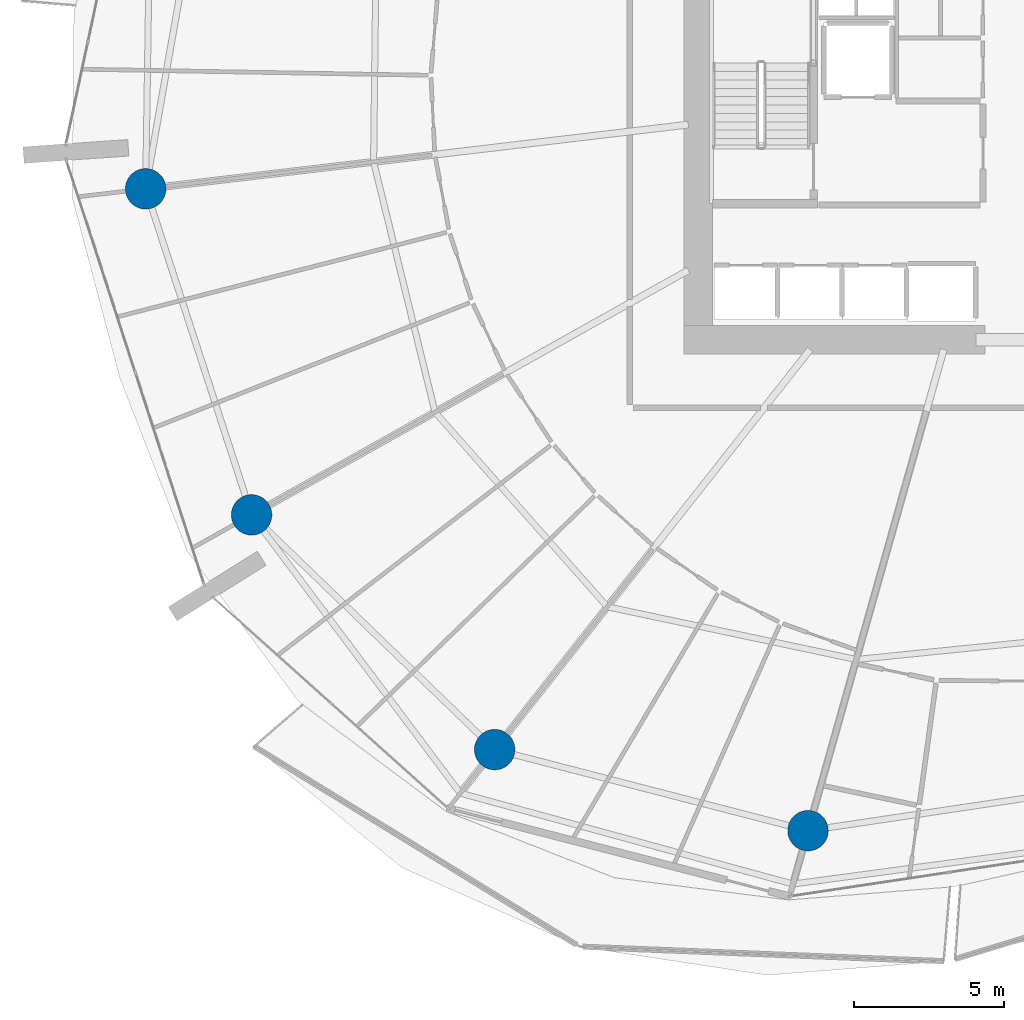
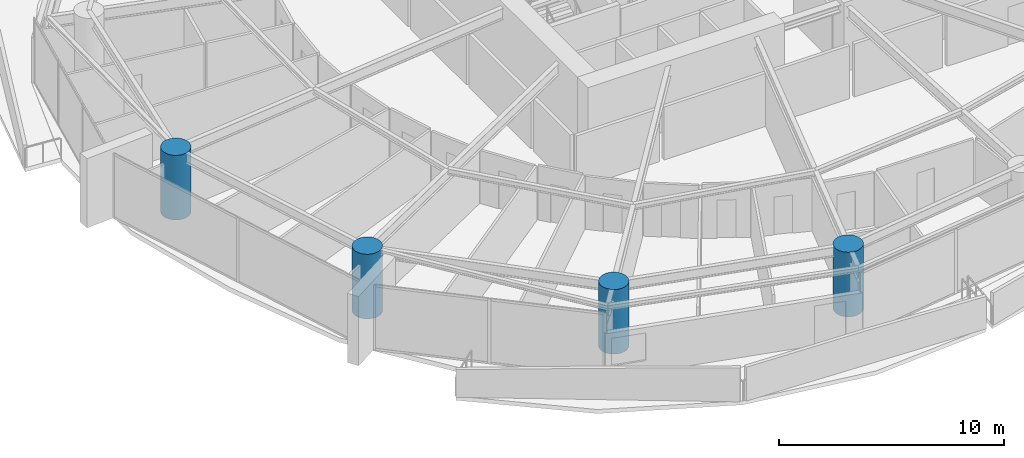
# One storey, part 1 of 31: 4 columns.
"""IFC4 building model written with IfcOpenShell, lengths in metres."""

import ifcopenshell
import ifcopenshell.guid

model = None  # the IFC model being written
_history = None  # IfcOwnerHistory: only IFC2X3 demands one
_inside = {}  # id of a spatial element -> (the spatial element, [elements in it])
_under = {}  # id of a project, library or spatial element -> (it, [spatial elements below it])
_declared = {}  # id of a project -> (the project, [libraries it declares])
_typed = {}  # id of a type object -> (the type object, [elements of that type])
_made_of = {}  # id of a material, layer set ... -> (it, [elements and type objects made of it])


def new_model(schema):
    """Start an empty IFC model of exactly this schema.

    Asked for "IFC4X3", IfcOpenShell would pick the latest addendum, in which some entities
    have other attributes; the version numbers below select the first issue.
    IFC2X3 requires an IfcOwnerHistory on every rooted entity: one is made here for all.
    """
    global model, _history
    if schema == "IFC4X3":
        model = ifcopenshell.file(schema_version=(4, 3, 0, 0))
    else:
        model = ifcopenshell.file(schema=schema)
    _inside.clear()
    _under.clear()
    _declared.clear()
    _typed.clear()
    _made_of.clear()
    _history = None
    if model.schema == "IFC2X3":
        org = make("IfcOrganization", Name="unknown")
        user = make(
            "IfcPersonAndOrganization",
            ThePerson=make("IfcPerson", FamilyName="unknown"),
            TheOrganization=org,
        )
        app = make(
            "IfcApplication",
            ApplicationDeveloper=org,
            Version="unknown",
            ApplicationFullName="unknown",
            ApplicationIdentifier="unknown",
        )
        _history = make(
            "IfcOwnerHistory",
            OwningUser=user,
            OwningApplication=app,
            ChangeAction="ADDED",
            CreationDate=0,
        )
    return model


def make(cls, **values):
    """One entity of the class cls with the attributes given. An attribute that is None is left unset."""
    return model.create_entity(
        cls, **{name: value for name, value in values.items() if value is not None}
    )


def rooted(cls, **values):
    """An entity with a GlobalId (a new one), such as an element, a storey or a relation."""
    return make(cls, GlobalId=ifcopenshell.guid.new(), OwnerHistory=_history, **values)


def si_unit(unit_type, name, prefix=None):
    """IfcSIUnit, for example si_unit("LENGTHUNIT", "METRE", prefix="MILLI")."""
    return make("IfcSIUnit", UnitType=unit_type, Prefix=prefix, Name=name)


def assignment(units):
    """IfcUnitAssignment: the units of a project."""
    return None if units is None else make("IfcUnitAssignment", Units=units)


def point(xyz):
    """IfcCartesianPoint."""
    return None if xyz is None else make("IfcCartesianPoint", Coordinates=xyz)


def direction(xyz):
    """IfcDirection."""
    return None if xyz is None else make("IfcDirection", DirectionRatios=xyz)


def frame(location, z_axis=None, x_axis=None):
    """IfcAxis2Placement3D, a coordinate frame: its origin and axes. An axis left out is left unset."""
    return make(
        "IfcAxis2Placement3D",
        Location=point(location),
        Axis=direction(z_axis),
        RefDirection=direction(x_axis),
    )


def frame_2d(location, x_axis=None):
    """IfcAxis2Placement2D, a coordinate frame in the plane: its origin and x axis."""
    return make(
        "IfcAxis2Placement2D", Location=point(location), RefDirection=direction(x_axis)
    )


def origin():
    """The frame at (0, 0, 0) with its axes left unset."""
    return frame((0.0, 0.0, 0.0))


def origin_2d():
    """The frame at (0, 0) in the plane with its x axis left unset."""
    return frame_2d((0.0, 0.0))


def place(relative_to, where):
    """IfcLocalPlacement: puts the frame where relative to a parent placement (None: the world)."""
    return make(
        "IfcLocalPlacement", PlacementRelTo=relative_to, RelativePlacement=where
    )


def context(
    kind, dimensions, precision=None, world=None, true_north=None, identifier=None
):
    """IfcGeometricRepresentationContext, for example the 3D "Model" context."""
    return make(
        "IfcGeometricRepresentationContext",
        ContextIdentifier=identifier,
        ContextType=kind,
        CoordinateSpaceDimension=dimensions,
        Precision=precision,
        WorldCoordinateSystem=world,
        TrueNorth=true_north,
    )


def subcontext(parent, identifier, kind, view, scale=None):
    """IfcGeometricRepresentationSubContext, for example "Body" below "Model"."""
    return make(
        "IfcGeometricRepresentationSubContext",
        ContextIdentifier=identifier,
        ContextType=kind,
        ParentContext=parent,
        TargetScale=scale,
        TargetView=view,
    )


def project(units=None, contexts=None):
    """IfcProject with its units and contexts."""
    return rooted(
        "IfcProject",
        Name="project",
        RepresentationContexts=contexts,
        UnitsInContext=assignment(units),
    )


def spatial(cls, under=None, at=None, **own):
    """A site, building, storey or space (cls), placed at a placement, below another one or the project."""
    s = rooted(cls, ObjectPlacement=at, **own)
    if under is not None:
        _under.setdefault(under.id(), (under, []))[1].append(s)
    return s


def profile(cls, at=None, kind="AREA", **sizes):
    """A parametric profile (cls). Its sizes go by their IFC names, for example OverallWidth=200.0."""
    return make(cls, ProfileType=kind, Position=at, **sizes)


def circle(**sizes):
    """IfcCircleProfileDef."""
    return profile("IfcCircleProfileDef", **sizes)


def extrude(swept, where, along, depth):
    """IfcExtrudedAreaSolid: the profile swept, set in the frame where, extruded along a direction by depth."""
    return make(
        "IfcExtrudedAreaSolid",
        SweptArea=swept,
        Position=where,
        ExtrudedDirection=direction(along),
        Depth=depth,
    )


def shape(context_of_items, identifier, shape_type, items):
    """IfcShapeRepresentation: the items that make up one representation, for example the "Body"."""
    return make(
        "IfcShapeRepresentation",
        ContextOfItems=context_of_items,
        RepresentationIdentifier=identifier,
        RepresentationType=shape_type,
        Items=items,
    )


def material(Name=None, Category=None):
    """IfcMaterial."""
    return make("IfcMaterial", Name=Name, Category=Category)


def material_profile(
    of_material, cross_section, Name=None, Category=None, Priority=None
):
    """IfcMaterialProfile: a cross section and its material."""
    return make(
        "IfcMaterialProfile",
        Name=Name,
        Material=of_material,
        Profile=cross_section,
        Priority=Priority,
        Category=Category,
    )


def profile_set(profiles, Name=None, composite=None):
    """IfcMaterialProfileSet."""
    return make(
        "IfcMaterialProfileSet",
        Name=Name,
        MaterialProfiles=profiles,
        CompositeProfile=composite,
    )


def made_of(thing, what):
    """Note that an element or type object is made of a material, layer set ...; save() writes the relation."""
    if what is not None:
        _made_of.setdefault(what.id(), (what, []))[1].append(thing)
    return thing


def type_object(cls, material=None, **own):
    """A type object (cls), such as IfcWallType, which elements share."""
    return made_of(rooted(cls, **own), material)


def element(
    cls,
    number,
    at=None,
    inside=None,
    cuts=None,
    type_object=None,
    material=None,
    context=None,
    identifier="Body",
    shape_type=None,
    held_by="IfcProductDefinitionShape",
    body=None,
    shapes=None,
    **own,
):
    """One element of the class cls, such as IfcWall. Its Tag is "e" and its number.

    at: its placement. inside: the storey or other place that contains it. cuts: it is an
    opening in that element (IfcRelVoidsElement). A single representation is given by context,
    identifier, shape_type and body (its items); several are given by shapes. held_by: the class
    of the entity that holds the representations. save() writes the other relations.
    """
    e = rooted(cls, Tag="e%d" % number, ObjectPlacement=at, **own)
    if body is not None:
        shapes = [shape(context, identifier, shape_type, body)]
    if shapes is not None:
        e.Representation = make(held_by, Representations=shapes)
    if inside is not None:
        _inside.setdefault(inside.id(), (inside, []))[1].append(e)
    if cuts is not None:
        rooted(
            "IfcRelVoidsElement", RelatingBuildingElement=cuts, RelatedOpeningElement=e
        )
    if type_object is not None:
        _typed.setdefault(type_object.id(), (type_object, []))[1].append(e)
    return made_of(e, material)


def aggregate(whole, parts):
    """IfcRelAggregates: a whole, such as a stair, and the parts it consists of."""
    return rooted("IfcRelAggregates", RelatingObject=whole, RelatedObjects=parts)


def save(model, path):
    """Write the relations noted so far, then the file.

    IfcRelAggregates (storeys below a building ...), IfcRelContainedInSpatialStructure (elements
    in a storey), IfcRelDefinesByType, IfcRelAssociatesMaterial and IfcRelDeclares: one each for
    every whole, place, type object, material and project.
    """
    for whole, parts in _under.values():
        aggregate(whole, parts)
    for where, things in _inside.values():
        rooted(
            "IfcRelContainedInSpatialStructure",
            RelatedElements=things,
            RelatingStructure=where,
        )
    for kind, things in _typed.values():
        rooted("IfcRelDefinesByType", RelatedObjects=things, RelatingType=kind)
    for what, things in _made_of.values():
        rooted("IfcRelAssociatesMaterial", RelatedObjects=things, RelatingMaterial=what)
    for by, libraries in _declared.values():
        rooted("IfcRelDeclares", RelatingContext=by, RelatedDefinitions=libraries)
    model.write(path)


model = new_model("IFC4")

# Units and contexts
model_context = context("Model", 3, precision=1e-05, world=origin(), true_north=direction((0.0, 1.0)))
body_context = subcontext(model_context, "Body", "Model", "MODEL_VIEW")
ifc_project = project(units=[si_unit("LENGTHUNIT", "METRE"), si_unit("AREAUNIT", "SQUARE_METRE"), si_unit("VOLUMEUNIT", "CUBIC_METRE"), si_unit("PLANEANGLEUNIT", "RADIAN"), si_unit("MASSUNIT", "GRAM", prefix="KILO")], contexts=[model_context])

# Site, building, storey
site_placement = place(None, origin())
site = spatial("IfcSite", under=ifc_project, at=site_placement, CompositionType="ELEMENT")
building_placement = place(site_placement, origin())
building = spatial("IfcBuilding", under=site, at=building_placement, Name="Kazma Halo Residences", CompositionType="ELEMENT")
storey_placement = place(building_placement, frame((0.0, 0.0, 52.64990234375)))
storey = spatial("IfcBuildingStorey", under=building, at=storey_placement, Name="L12", CompositionType="ELEMENT", Elevation=52.64990234375)

# Columns
ifc_material = material(Name="Concrete C80/95", Category="concrete")
ifc_material_profile = material_profile(ifc_material, circle(Radius=0.675048828125, at=origin_2d()), Name="CIRC1350")
ifc_profile_set = profile_set([ifc_material_profile], Name="Concrete C80/95")
column_type = type_object("IfcColumnType", Name="COL-PERIM-1350", PredefinedType="COLUMN", material=ifc_profile_set)
for number, where, z_axis, x_axis, name in (
    (1, (18.902099609375, 38.555908203125, 0.0), (0.0, 0.0, 1.0), (1.0, 0.0, 0.0), "L12 perimeter ring column P08"),
    (2, (22.43505859375, 27.682861328125, 0.0), (0.0, 0.0, 1.0), (1.0, 0.0, 0.0), "L12 perimeter ring column P09"),
    (3, (30.541748046875, 19.854248046875, 0.0), (0.0, 0.0, 1.0), (1.0, 0.0, 0.0), "L12 perimeter ring column P10"),
    (4, (40.99169921875, 17.150634765625, 0.0), (0.0, 0.0, 1.0), (1.0, 0.0, 0.0), "L12 perimeter ring column P11"),
):
    element("IfcColumn", number, at=place(storey_placement, frame(where, z_axis=z_axis, x_axis=x_axis)), inside=storey, type_object=column_type, Name=name, PredefinedType="COLUMN", context=body_context, shape_type="SweptSolid", body=[
        extrude(circle(Radius=0.675048828125, at=origin_2d()), origin(), (0.0, 0.0, 1.0), 3.5),
    ])

save(model, "model.ifc")
